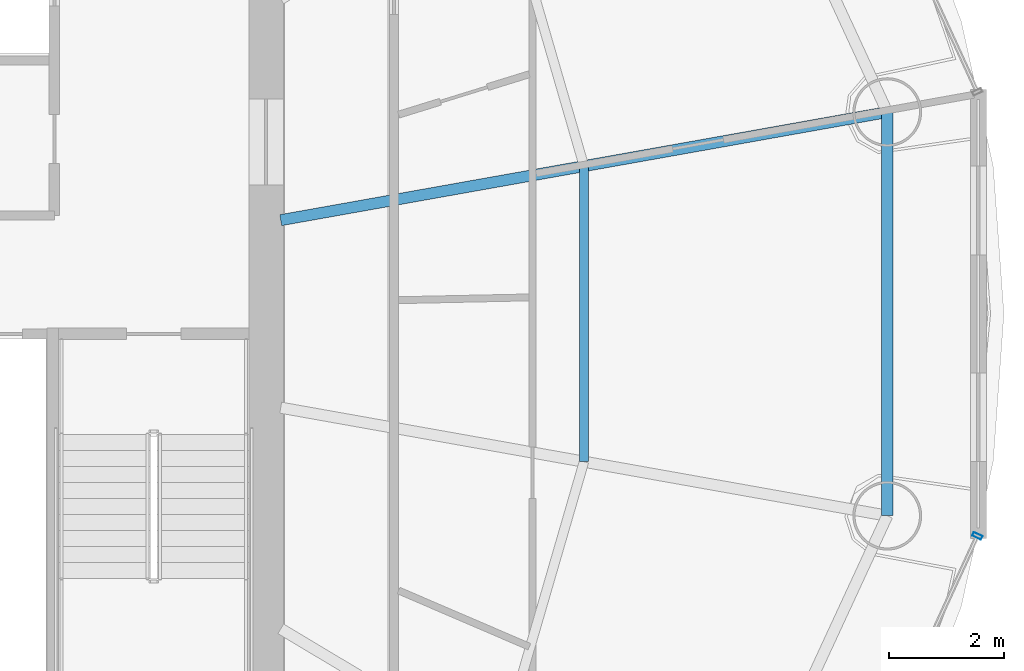
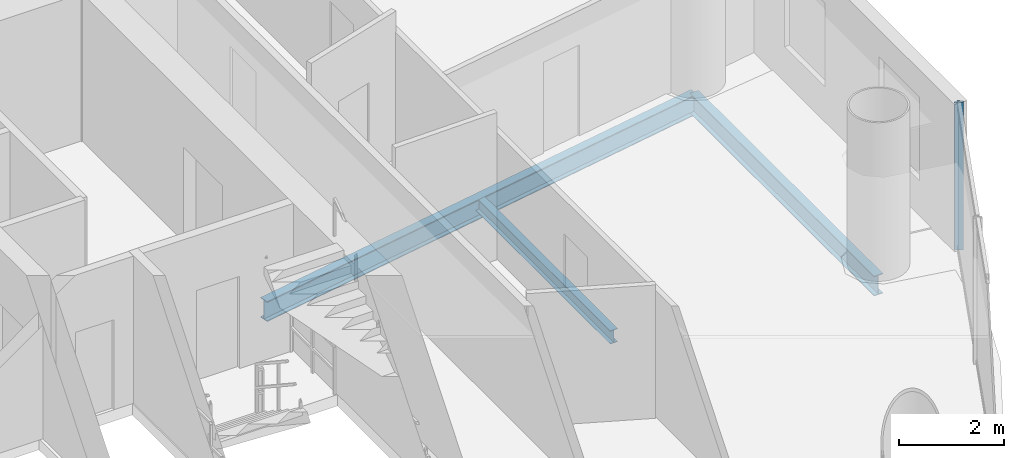
# One storey, part 12 of 26: 3 beams, 1 member, 1 element without a shape of its own.
"""IFC4 building model written with IfcOpenShell, lengths in metres."""

import ifcopenshell
import ifcopenshell.guid

model = None  # the IFC model being written
_history = None  # IfcOwnerHistory: only IFC2X3 demands one
_inside = {}  # id of a spatial element -> (the spatial element, [elements in it])
_under = {}  # id of a project, library or spatial element -> (it, [spatial elements below it])
_declared = {}  # id of a project -> (the project, [libraries it declares])
_typed = {}  # id of a type object -> (the type object, [elements of that type])
_made_of = {}  # id of a material, layer set ... -> (it, [elements and type objects made of it])


def new_model(schema):
    """Start an empty IFC model of exactly this schema.

    Asked for "IFC4X3", IfcOpenShell would pick the latest addendum, in which some entities
    have other attributes; the version numbers below select the first issue.
    IFC2X3 requires an IfcOwnerHistory on every rooted entity: one is made here for all.
    """
    global model, _history
    if schema == "IFC4X3":
        model = ifcopenshell.file(schema_version=(4, 3, 0, 0))
    else:
        model = ifcopenshell.file(schema=schema)
    _inside.clear()
    _under.clear()
    _declared.clear()
    _typed.clear()
    _made_of.clear()
    _history = None
    if model.schema == "IFC2X3":
        org = make("IfcOrganization", Name="unknown")
        user = make(
            "IfcPersonAndOrganization",
            ThePerson=make("IfcPerson", FamilyName="unknown"),
            TheOrganization=org,
        )
        app = make(
            "IfcApplication",
            ApplicationDeveloper=org,
            Version="unknown",
            ApplicationFullName="unknown",
            ApplicationIdentifier="unknown",
        )
        _history = make(
            "IfcOwnerHistory",
            OwningUser=user,
            OwningApplication=app,
            ChangeAction="ADDED",
            CreationDate=0,
        )
    return model


def make(cls, **values):
    """One entity of the class cls with the attributes given. An attribute that is None is left unset."""
    return model.create_entity(
        cls, **{name: value for name, value in values.items() if value is not None}
    )


def rooted(cls, **values):
    """An entity with a GlobalId (a new one), such as an element, a storey or a relation."""
    return make(cls, GlobalId=ifcopenshell.guid.new(), OwnerHistory=_history, **values)


def si_unit(unit_type, name, prefix=None):
    """IfcSIUnit, for example si_unit("LENGTHUNIT", "METRE", prefix="MILLI")."""
    return make("IfcSIUnit", UnitType=unit_type, Prefix=prefix, Name=name)


def assignment(units):
    """IfcUnitAssignment: the units of a project."""
    return None if units is None else make("IfcUnitAssignment", Units=units)


def point(xyz):
    """IfcCartesianPoint."""
    return None if xyz is None else make("IfcCartesianPoint", Coordinates=xyz)


def direction(xyz):
    """IfcDirection."""
    return None if xyz is None else make("IfcDirection", DirectionRatios=xyz)


def frame(location, z_axis=None, x_axis=None):
    """IfcAxis2Placement3D, a coordinate frame: its origin and axes. An axis left out is left unset."""
    return make(
        "IfcAxis2Placement3D",
        Location=point(location),
        Axis=direction(z_axis),
        RefDirection=direction(x_axis),
    )


def frame_2d(location, x_axis=None):
    """IfcAxis2Placement2D, a coordinate frame in the plane: its origin and x axis."""
    return make(
        "IfcAxis2Placement2D", Location=point(location), RefDirection=direction(x_axis)
    )


def origin():
    """The frame at (0, 0, 0) with its axes left unset."""
    return frame((0.0, 0.0, 0.0))


def origin_2d():
    """The frame at (0, 0) in the plane with its x axis left unset."""
    return frame_2d((0.0, 0.0))


def place(relative_to, where):
    """IfcLocalPlacement: puts the frame where relative to a parent placement (None: the world)."""
    return make(
        "IfcLocalPlacement", PlacementRelTo=relative_to, RelativePlacement=where
    )


def context(
    kind, dimensions, precision=None, world=None, true_north=None, identifier=None
):
    """IfcGeometricRepresentationContext, for example the 3D "Model" context."""
    return make(
        "IfcGeometricRepresentationContext",
        ContextIdentifier=identifier,
        ContextType=kind,
        CoordinateSpaceDimension=dimensions,
        Precision=precision,
        WorldCoordinateSystem=world,
        TrueNorth=true_north,
    )


def subcontext(parent, identifier, kind, view, scale=None):
    """IfcGeometricRepresentationSubContext, for example "Body" below "Model"."""
    return make(
        "IfcGeometricRepresentationSubContext",
        ContextIdentifier=identifier,
        ContextType=kind,
        ParentContext=parent,
        TargetScale=scale,
        TargetView=view,
    )


def project(units=None, contexts=None):
    """IfcProject with its units and contexts."""
    return rooted(
        "IfcProject",
        Name="project",
        RepresentationContexts=contexts,
        UnitsInContext=assignment(units),
    )


def spatial(cls, under=None, at=None, **own):
    """A site, building, storey or space (cls), placed at a placement, below another one or the project."""
    s = rooted(cls, ObjectPlacement=at, **own)
    if under is not None:
        _under.setdefault(under.id(), (under, []))[1].append(s)
    return s


def profile(cls, at=None, kind="AREA", **sizes):
    """A parametric profile (cls). Its sizes go by their IFC names, for example OverallWidth=200.0."""
    return make(cls, ProfileType=kind, Position=at, **sizes)


def hollow_rectangle(**sizes):
    """IfcRectangleHollowProfileDef."""
    return profile("IfcRectangleHollowProfileDef", **sizes)


def i_section(**sizes):
    """IfcIShapeProfileDef."""
    return profile("IfcIShapeProfileDef", **sizes)


def extrude(swept, where, along, depth):
    """IfcExtrudedAreaSolid: the profile swept, set in the frame where, extruded along a direction by depth."""
    return make(
        "IfcExtrudedAreaSolid",
        SweptArea=swept,
        Position=where,
        ExtrudedDirection=direction(along),
        Depth=depth,
    )


def shape(context_of_items, identifier, shape_type, items):
    """IfcShapeRepresentation: the items that make up one representation, for example the "Body"."""
    return make(
        "IfcShapeRepresentation",
        ContextOfItems=context_of_items,
        RepresentationIdentifier=identifier,
        RepresentationType=shape_type,
        Items=items,
    )


def source(mapping_origin, context_of_items, identifier, shape_type, items):
    """IfcRepresentationMap: a shape defined once, which mapped items show again and again."""
    return make(
        "IfcRepresentationMap",
        MappingOrigin=mapping_origin,
        MappedRepresentation=shape(context_of_items, identifier, shape_type, items),
    )


def transform(
    local_origin,
    x_axis=None,
    y_axis=None,
    z_axis=None,
    scale=None,
    scale2=None,
    scale3=None,
    uniform=True,
):
    """IfcCartesianTransformationOperator3D, or its non-uniform kind. x_axis, y_axis, z_axis: its Axis1, 2, 3."""
    if uniform:
        return make(
            "IfcCartesianTransformationOperator3D",
            Axis1=direction(x_axis),
            Axis2=direction(y_axis),
            LocalOrigin=point(local_origin),
            Scale=scale,
            Axis3=direction(z_axis),
        )
    return make(
        "IfcCartesianTransformationOperator3DnonUniform",
        Axis1=direction(x_axis),
        Axis2=direction(y_axis),
        LocalOrigin=point(local_origin),
        Scale=scale,
        Axis3=direction(z_axis),
        Scale2=scale2,
        Scale3=scale3,
    )


def mapped(mapping_source, mapping_target):
    """IfcMappedItem: shows the shape of a source again, moved by a transform."""
    return make(
        "IfcMappedItem", MappingSource=mapping_source, MappingTarget=mapping_target
    )


def material(Name=None, Category=None):
    """IfcMaterial."""
    return make("IfcMaterial", Name=Name, Category=Category)


def material_profile(
    of_material, cross_section, Name=None, Category=None, Priority=None
):
    """IfcMaterialProfile: a cross section and its material."""
    return make(
        "IfcMaterialProfile",
        Name=Name,
        Material=of_material,
        Profile=cross_section,
        Priority=Priority,
        Category=Category,
    )


def profile_set(profiles, Name=None, composite=None):
    """IfcMaterialProfileSet."""
    return make(
        "IfcMaterialProfileSet",
        Name=Name,
        MaterialProfiles=profiles,
        CompositeProfile=composite,
    )


def made_of(thing, what):
    """Note that an element or type object is made of a material, layer set ...; save() writes the relation."""
    if what is not None:
        _made_of.setdefault(what.id(), (what, []))[1].append(thing)
    return thing


def type_object(cls, material=None, **own):
    """A type object (cls), such as IfcWallType, which elements share."""
    return made_of(rooted(cls, **own), material)


def element(
    cls,
    number,
    at=None,
    inside=None,
    cuts=None,
    type_object=None,
    material=None,
    context=None,
    identifier="Body",
    shape_type=None,
    held_by="IfcProductDefinitionShape",
    body=None,
    shapes=None,
    **own,
):
    """One element of the class cls, such as IfcWall. Its Tag is "e" and its number.

    at: its placement. inside: the storey or other place that contains it. cuts: it is an
    opening in that element (IfcRelVoidsElement). A single representation is given by context,
    identifier, shape_type and body (its items); several are given by shapes. held_by: the class
    of the entity that holds the representations. save() writes the other relations.
    """
    e = rooted(cls, Tag="e%d" % number, ObjectPlacement=at, **own)
    if body is not None:
        shapes = [shape(context, identifier, shape_type, body)]
    if shapes is not None:
        e.Representation = make(held_by, Representations=shapes)
    if inside is not None:
        _inside.setdefault(inside.id(), (inside, []))[1].append(e)
    if cuts is not None:
        rooted(
            "IfcRelVoidsElement", RelatingBuildingElement=cuts, RelatedOpeningElement=e
        )
    if type_object is not None:
        _typed.setdefault(type_object.id(), (type_object, []))[1].append(e)
    return made_of(e, material)


def aggregate(whole, parts):
    """IfcRelAggregates: a whole, such as a stair, and the parts it consists of."""
    return rooted("IfcRelAggregates", RelatingObject=whole, RelatedObjects=parts)


def save(model, path):
    """Write the relations noted so far, then the file.

    IfcRelAggregates (storeys below a building ...), IfcRelContainedInSpatialStructure (elements
    in a storey), IfcRelDefinesByType, IfcRelAssociatesMaterial and IfcRelDeclares: one each for
    every whole, place, type object, material and project.
    """
    for whole, parts in _under.values():
        aggregate(whole, parts)
    for where, things in _inside.values():
        rooted(
            "IfcRelContainedInSpatialStructure",
            RelatedElements=things,
            RelatingStructure=where,
        )
    for kind, things in _typed.values():
        rooted("IfcRelDefinesByType", RelatedObjects=things, RelatingType=kind)
    for what, things in _made_of.values():
        rooted("IfcRelAssociatesMaterial", RelatedObjects=things, RelatingMaterial=what)
    for by, libraries in _declared.values():
        rooted("IfcRelDeclares", RelatingContext=by, RelatedDefinitions=libraries)
    model.write(path)


model = new_model("IFC4")

# Units and contexts
model_context = context("Model", 3, precision=1e-05, world=origin(), true_north=direction((-0.2419218956, 0.970295726276)))
body_context = subcontext(model_context, "Body", "Model", "MODEL_VIEW")
ifc_project = project(units=[si_unit("LENGTHUNIT", "METRE"), si_unit("AREAUNIT", "SQUARE_METRE"), si_unit("VOLUMEUNIT", "CUBIC_METRE"), si_unit("PLANEANGLEUNIT", "RADIAN"), si_unit("MASSUNIT", "GRAM", prefix="KILO")], contexts=[model_context])

# Site, building, storey
site_placement = place(None, origin())
site = spatial("IfcSite", under=ifc_project, at=site_placement, CompositionType="ELEMENT")
building_placement = place(site_placement, origin())
building = spatial("IfcBuilding", under=site, at=building_placement, Name="Cobrevalo Terracotta Tower", CompositionType="ELEMENT")
storey_placement = place(building_placement, frame((0.0, 0.0, 202.300048828125)))
storey = spatial("IfcBuildingStorey", under=building, at=storey_placement, Name="L53", CompositionType="ELEMENT", Elevation=202.300048828125)

# Beams
ifc_material_1 = material(Name="Steel S355", Category="steel")
ifc_material_profile_1 = material_profile(ifc_material_1, i_section(OverallWidth=0.194091796875, OverallDepth=0.468994140625, WebThickness=0.011474609375, FlangeThickness=0.0205078125, at=origin_2d()), Name="W 460x106")
ifc_profile_set_1 = profile_set([ifc_material_profile_1], Name="Steel S355")
beam_type_1 = type_object("IfcBeamType", Name="Structural Beam W 460x106 (Steel S355)", PredefinedType="BEAM", material=ifc_profile_set_1)
beam_1_placement = place(storey_placement, frame((57.762939453125, 30.3212890625, -0.49951171875), z_axis=(-0.98449712063, -0.175400739656, 0.0), x_axis=(0.175400739656, -0.98449712063, 0.0)))
element("IfcBeam", 1, at=beam_1_placement, inside=storey, type_object=beam_type_1, Name="L53 radial floor girder 01", PredefinedType="BEAM", context=body_context, shape_type="SweptSolid", body=[
    extrude(i_section(OverallWidth=0.194091796875, OverallDepth=0.468994140625, WebThickness=0.011474609375, FlangeThickness=0.0205078125, at=origin_2d()), origin(), (0.0, 0.0, 1.0), 10.749755859375),
])
ifc_material_profile_2 = material_profile(ifc_material_1, i_section(OverallWidth=0.1650390625, OverallDepth=0.31005859375, WebThickness=0.005859375, FlangeThickness=0.009765625, at=origin_2d()), Name="W 310x38.7")
ifc_profile_set_2 = profile_set([ifc_material_profile_2], Name="Steel S355")
beam_type_2 = type_object("IfcBeamType", Name="Structural Joist W 310x38.7 (Steel S355)", PredefinedType="JOIST", material=ifc_profile_set_2)
beam_2_placement = place(storey_placement, frame((52.471435546875, 24.221435546875, -0.420166015625), z_axis=(0.0, 1.0, 0.0), x_axis=(-1.0, 0.0, 0.0)))
element("IfcBeam", 2, at=beam_2_placement, inside=storey, type_object=beam_type_2, Name="L53 circumferential secondary floor joist 16", PredefinedType="JOIST", context=body_context, shape_type="SweptSolid", body=[
    extrude(i_section(OverallWidth=0.1650390625, OverallDepth=0.31005859375, WebThickness=0.005859375, FlangeThickness=0.009765625, at=origin_2d()), origin(), (0.0, 0.0, 1.0), 5.1572265625),
])
ifc_material_profile_3 = material_profile(ifc_material_1, i_section(OverallWidth=0.194091796875, OverallDepth=0.468994140625, WebThickness=0.011474609375, FlangeThickness=0.0205078125, at=origin_2d()), Name="W 460x106")
ifc_profile_set_3 = profile_set([ifc_material_profile_3], Name="Steel S355")
beam_type_3 = type_object("IfcBeamType", Name="Structural Spandrel W 460x106 (Steel S355)", PredefinedType="SPANDREL", material=ifc_profile_set_3)
beam_3_placement = place(storey_placement, frame((57.762939453125, 23.278564453125, -0.49951171875), z_axis=(0.0, 1.0, 0.0), x_axis=(-1.0, 0.0, 0.0)))
element("IfcBeam", 3, at=beam_3_placement, inside=storey, type_object=beam_type_3, Name="L53 perimeter ring spandrel 16", PredefinedType="SPANDREL", context=body_context, shape_type="SweptSolid", body=[
    extrude(i_section(OverallWidth=0.194091796875, OverallDepth=0.468994140625, WebThickness=0.011474609375, FlangeThickness=0.0205078125, at=origin_2d()), origin(), (0.0, 0.0, 1.0), 7.042724609375),
])

# Curtain wall, member
ifc_material_2 = material(Name="Anodized aluminium", Category="aluminium")
curtain_wall_type = type_object("IfcCurtainWallType", Name="Mid-tower high-wind unitised curtain wall CW-U2", PredefinedType="NOTDEFINED", material=ifc_material_2)
curtain_wall_placement = place(storey_placement, origin())
curtain_wall = element("IfcCurtainWall", 4, at=curtain_wall_placement, inside=storey, type_object=curtain_wall_type, Name="L53 curtain wall CW-L53-S15", PredefinedType="NOTDEFINED")
ifc_material_profile_4 = material_profile(ifc_material_2, hollow_rectangle(XDim=0.070068359375, YDim=0.169921875, WallThickness=0.00439453125, at=origin_2d()), Name="CWM 70x170")
ifc_profile_set_4 = profile_set([ifc_material_profile_4], Name="Anodized aluminium")
member_type = type_object("IfcMemberType", Name="Upper tower unitised mullion 70x170", PredefinedType="MULLION", material=ifc_profile_set_4)
shared_shape = source(origin(), body_context, "Body", "SweptSolid", [
    extrude(hollow_rectangle(XDim=0.070068359375, YDim=0.169921875, WallThickness=0.00439453125, at=origin_2d()), origin(), (0.0, 0.0, 1.0), 3.43505859375),
])
member_placement = place(storey_placement, frame((59.3349609375, 22.92626953125, 0.0), z_axis=(0.0, 0.0, 1.0), x_axis=(0.41672507912, 0.909032567311, 0.0)))
member = element("IfcMember", 5, at=member_placement, type_object=member_type, Name="CW-L53-S15 vertical mullion 03", PredefinedType="MULLION", context=body_context, shape_type="MappedRepresentation", body=[
    mapped(shared_shape, transform((0.0, 0.0, 0.0), scale=1.0)),
])
aggregate(curtain_wall, [member])

save(model, "model.ifc")
